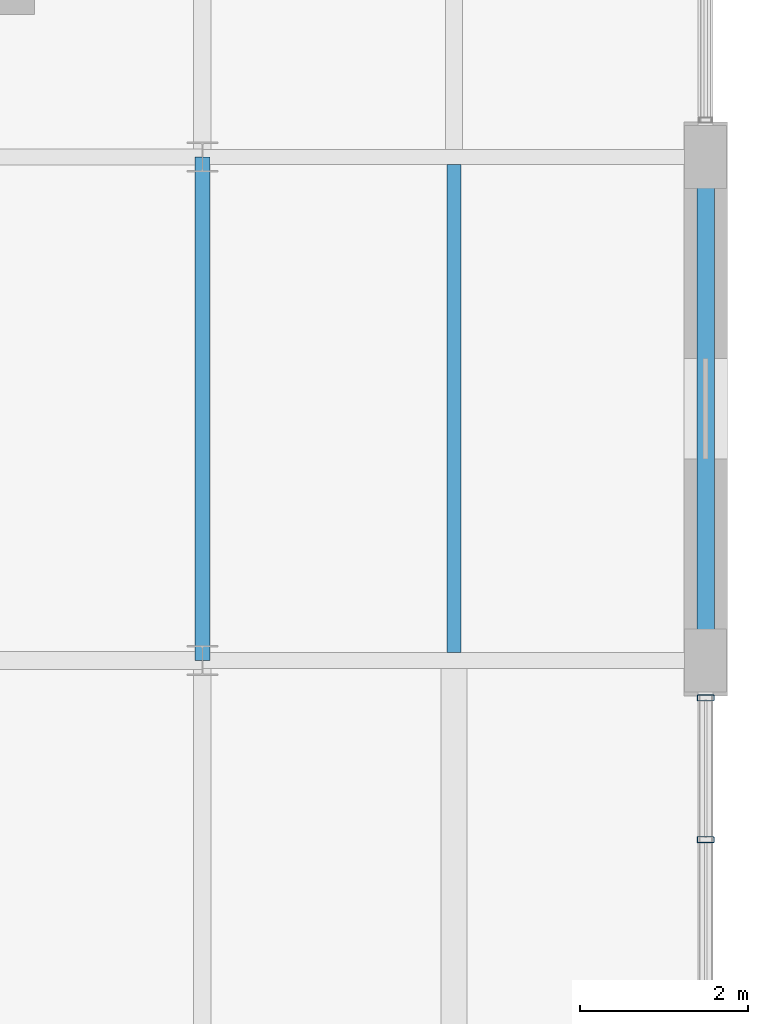
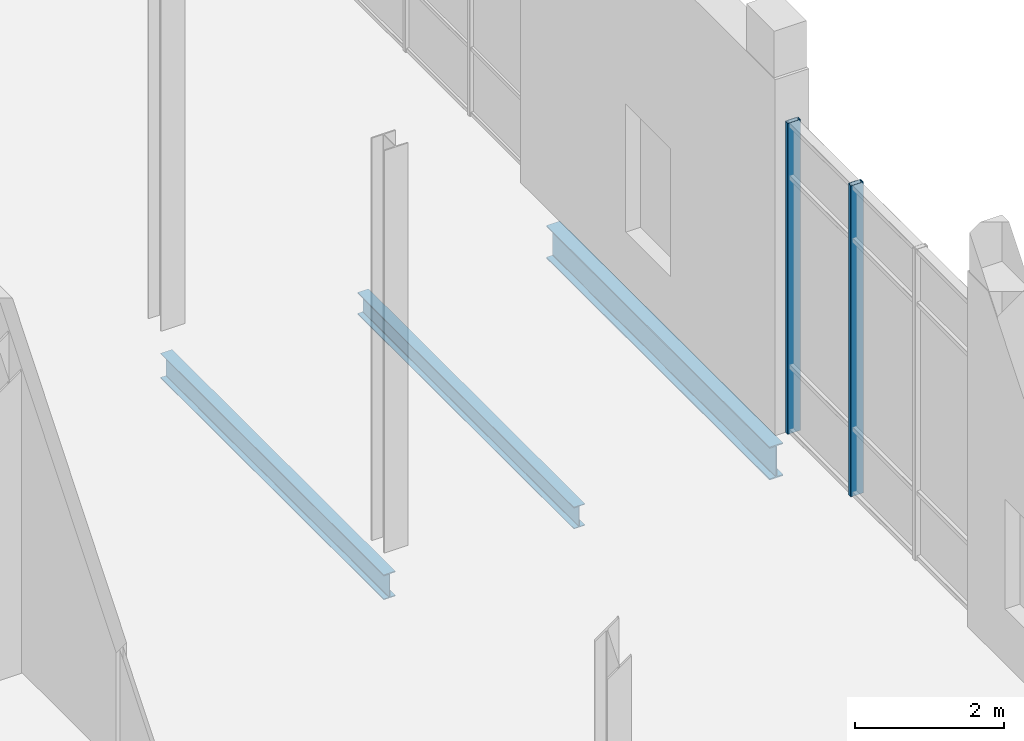
# One storey, part 78 of 140: 3 beams, 2 members, 1 element without a shape of its own.
"""IFC4 building model written with IfcOpenShell, lengths in metres."""

from ifc_helpers import new_model, si_unit, direction, frame, origin, origin_2d, place, context, subcontext, project, spatial, hollow_rectangle, i_section, extrude, material, material_profile, profile_set, type_object, element, aggregate, save


model = new_model("IFC4")

# Units and contexts
model_context = context("Model", 3, precision=1e-05, world=origin(), true_north=direction((0.0, 1.0)))
body_context = subcontext(model_context, "Body", "Model", "MODEL_VIEW")
ifc_project = project(units=[si_unit("LENGTHUNIT", "METRE"), si_unit("AREAUNIT", "SQUARE_METRE"), si_unit("VOLUMEUNIT", "CUBIC_METRE"), si_unit("PLANEANGLEUNIT", "RADIAN"), si_unit("MASSUNIT", "GRAM", prefix="KILO")], contexts=[model_context])

# Site, building, storey
site_placement = place(None, origin())
site = spatial("IfcSite", under=ifc_project, at=site_placement, CompositionType="ELEMENT")
building_placement = place(site_placement, origin())
building = spatial("IfcBuilding", under=site, at=building_placement, Name="Verrall Gate Interchange", CompositionType="ELEMENT")
storey_placement = place(building_placement, origin())
storey = spatial("IfcBuildingStorey", under=building, at=storey_placement, Name="L01", CompositionType="ELEMENT", Elevation=0.0)

# Beams
ifc_material_1 = material(Name="Structural Steel CSA G40.21 350W", Category="steel")
ifc_material_profile_1 = material_profile(ifc_material_1, i_section(OverallWidth=0.2109375, OverallDepth=0.5390625, WebThickness=0.01171875, FlangeThickness=0.018798828125, FilletRadius=0.013916015625, at=origin_2d()), Name="W530x109")
ifc_profile_set_1 = profile_set([ifc_material_profile_1], Name="Structural Steel CSA G40.21 350W")
beam_type_1 = type_object("IfcBeamType", Name="B-10 Structural Beam W530x109", PredefinedType="BEAM", material=ifc_profile_set_1)
beam_1_placement = place(storey_placement, frame((168.0, 22.0, -0.76953125), z_axis=(0.0, 1.0, 0.0), x_axis=(-1.0, 0.0, 0.0)))
element("IfcBeam", 1, at=beam_1_placement, inside=storey, type_object=beam_type_1, Name="L01 Girder BM-L01-1245 (B-10)", PredefinedType="BEAM", context=body_context, shape_type="SweptSolid", body=[
    extrude(i_section(OverallWidth=0.2109375, OverallDepth=0.5390625, WebThickness=0.01171875, FlangeThickness=0.018798828125, FilletRadius=0.013916015625, at=origin_2d()), origin(), (0.0, 0.0, 1.0), 6.0),
])
ifc_material_2 = material(Name="Structural Steel CSA G40.21 350W", Category="steel")
ifc_material_profile_2 = material_profile(ifc_material_2, i_section(OverallWidth=0.178955078125, OverallDepth=0.409912109375, WebThickness=0.0087890625, FlangeThickness=0.014404296875, FilletRadius=0.011962890625, at=origin_2d()), Name="W410x67")
ifc_profile_set_2 = profile_set([ifc_material_profile_2], Name="Structural Steel CSA G40.21 350W")
beam_type_2 = type_object("IfcBeamType", Name="B-12 Structural Beam W410x67", PredefinedType="BEAM", material=ifc_profile_set_2)
beam_2_placement = place(storey_placement, frame((162.0, 22.0, -0.705078125), z_axis=(0.0, 1.0, 0.0), x_axis=(-1.0, 0.0, 0.0)))
element("IfcBeam", 2, at=beam_2_placement, inside=storey, type_object=beam_type_2, Name="L01 Girder BM-L01-1237 (B-12)", PredefinedType="BEAM", context=body_context, shape_type="SweptSolid", body=[
    extrude(i_section(OverallWidth=0.178955078125, OverallDepth=0.409912109375, WebThickness=0.0087890625, FlangeThickness=0.014404296875, FilletRadius=0.011962890625, at=origin_2d()), origin(), (0.0, 0.0, 1.0), 6.0),
])

# Curtain wall, members
ifc_material_3 = material(Name="Thermally Broken Anodized Aluminium Curtain Wall Framing", Category="aluminium")
curtain_wall_type = type_object("IfcCurtainWallType", Name="CW-11 Unitized Curtain Wall 5186x5100", PredefinedType="NOTDEFINED", material=ifc_material_3)
curtain_wall_placement = place(storey_placement, origin())
curtain_wall = element("IfcCurtainWall", 3, at=curtain_wall_placement, inside=storey, type_object=curtain_wall_type, Name="L01 Unitized Curtain Wall CW-L01-041", PredefinedType="NOTDEFINED")
ifc_material_4 = material(Name="Thermally Broken Anodized Aluminium Curtain Wall Framing", Category="aluminium")
ifc_material_profile_3 = material_profile(ifc_material_4, hollow_rectangle(XDim=0.074951171875, YDim=0.199951171875, WallThickness=0.0048828125, InnerFilletRadius=0.0048828125, OuterFilletRadius=0.010009765625, at=origin_2d()), Name="CWM200x75x5")
ifc_profile_set_3 = profile_set([ifc_material_profile_3], Name="Thermally Broken Anodized Aluminium Curtain Wall Framing")
member_type = type_object("IfcMemberType", Name="CM-02 Curtain Mullion CWM200x75x5", PredefinedType="MULLION", material=ifc_profile_set_3)
member_1_placement = place(storey_placement, frame((168.0, 19.8642578125, 0.0), z_axis=(0.0, 0.0, 1.0), x_axis=(0.0, 1.0, 0.0)))
member_1 = element("IfcMember", 4, at=member_1_placement, type_object=member_type, Name="CW-L01-041 Mullion 3", PredefinedType="MULLION", context=body_context, shape_type="SweptSolid", body=[
    extrude(hollow_rectangle(XDim=0.074951171875, YDim=0.199951171875, WallThickness=0.0048828125, InnerFilletRadius=0.0048828125, OuterFilletRadius=0.010009765625, at=origin_2d()), origin(), (0.0, 0.0, 1.0), 5.10009765625),
])
member_2_placement = place(storey_placement, frame((168.0, 21.555419921875, 0.0), z_axis=(0.0, 0.0, 1.0), x_axis=(0.0, 1.0, 0.0)))
member_2 = element("IfcMember", 5, at=member_2_placement, type_object=member_type, Name="CW-L01-041 Mullion 4", PredefinedType="MULLION", context=body_context, shape_type="SweptSolid", body=[
    extrude(hollow_rectangle(XDim=0.074951171875, YDim=0.199951171875, WallThickness=0.0048828125, InnerFilletRadius=0.0048828125, OuterFilletRadius=0.010009765625, at=origin_2d()), origin(), (0.0, 0.0, 1.0), 5.10009765625),
])
aggregate(curtain_wall, [member_1, member_2])

# Beam
ifc_material_5 = material(Name="Structural Steel CSA G40.21 350W", Category="steel")
ifc_material_profile_4 = material_profile(ifc_material_5, i_section(OverallWidth=0.172119140625, OverallDepth=0.35791015625, WebThickness=0.0078125, FlangeThickness=0.01318359375, FilletRadius=0.010986328125, at=origin_2d()), Name="W360x57")
ifc_profile_set_4 = profile_set([ifc_material_profile_4], Name="Structural Steel CSA G40.21 350W")
beam_type_3 = type_object("IfcBeamType", Name="J-01 Floor Joist W360x57", PredefinedType="JOIST", material=ifc_profile_set_4)
beam_3_placement = place(storey_placement, frame((165.0, 22.095947265625, -0.678955078125), z_axis=(0.0, 1.0, 0.0), x_axis=(-1.0, 0.0, 0.0)))
element("IfcBeam", 6, at=beam_3_placement, inside=storey, type_object=beam_type_3, Name="L01 Secondary Floor Joist JST-L01-1325", PredefinedType="JOIST", context=body_context, shape_type="SweptSolid", body=[
    extrude(i_section(OverallWidth=0.172119140625, OverallDepth=0.35791015625, WebThickness=0.0078125, FlangeThickness=0.01318359375, FilletRadius=0.010986328125, at=origin_2d()), origin(), (0.0, 0.0, 1.0), 5.814453125),
])

save(model, "model.ifc")
